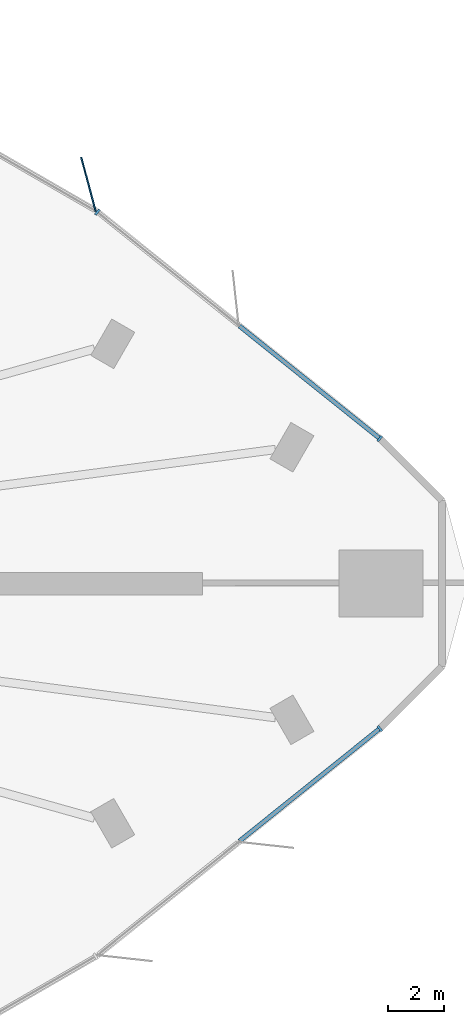
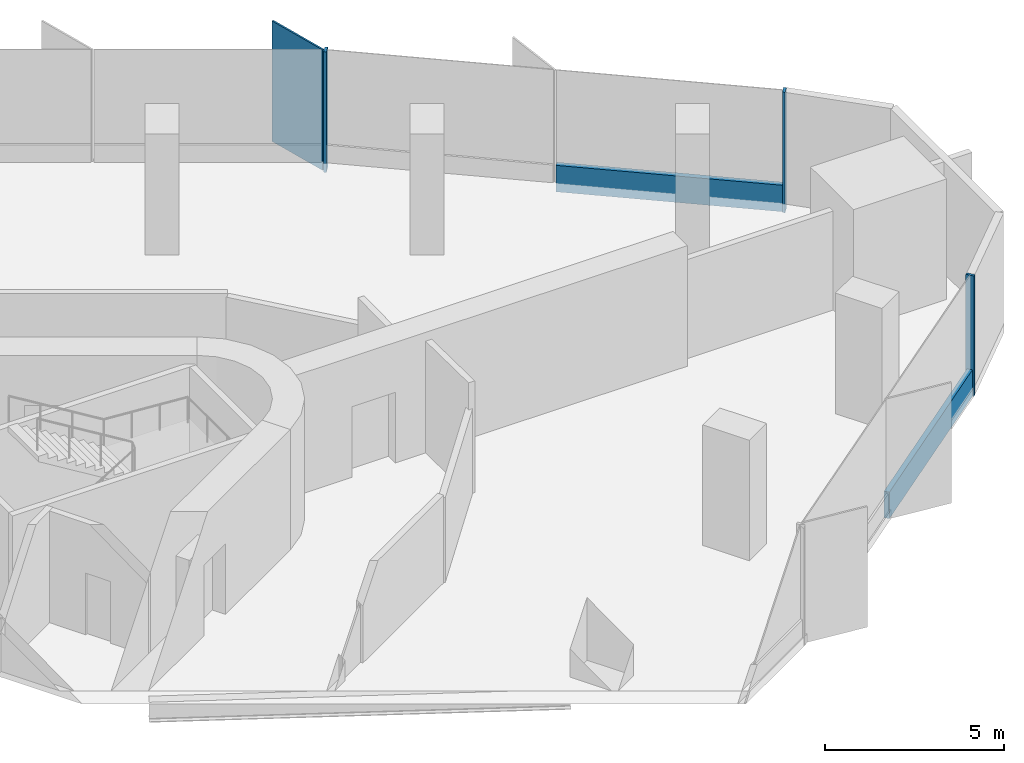
# One storey, part 6 of 15: 6 members, 3 elements without a shape of their own.
"""IFC4 building model written with IfcOpenShell, lengths in metres."""

from ifc_helpers import new_model, si_unit, direction, frame, origin, origin_2d, place, context, subcontext, project, spatial, rectangle, extrude, material, material_profile, profile_set, type_object, element, aggregate, save


model = new_model("IFC4")

# Units and contexts
model_context = context("Model", 3, precision=1e-05, world=origin(), true_north=direction((0.0, 1.0)))
body_context = subcontext(model_context, "Body", "Model", "MODEL_VIEW")
ifc_project = project(units=[si_unit("LENGTHUNIT", "METRE"), si_unit("AREAUNIT", "SQUARE_METRE"), si_unit("VOLUMEUNIT", "CUBIC_METRE"), si_unit("PLANEANGLEUNIT", "RADIAN"), si_unit("MASSUNIT", "GRAM", prefix="KILO")], contexts=[model_context])

# Site, building, storey
site_placement = place(None, origin())
site = spatial("IfcSite", under=ifc_project, at=site_placement, CompositionType="ELEMENT")
building_placement = place(site_placement, origin())
building = spatial("IfcBuilding", under=site, at=building_placement, Name="Tanit Gate Tower", CompositionType="ELEMENT")
storey_placement = place(building_placement, frame((0.0, 0.0, 135.699951171875)))
storey = spatial("IfcBuildingStorey", under=building, at=storey_placement, Name="L29", CompositionType="ELEMENT", Elevation=135.699951171875)

# Curtain wall, member
ifc_material_1 = material(Name="Aluminium bronze anodised and glass", Category="aluminium")
curtain_wall_type = type_object("IfcCurtainWallType", Name="Curtain wall typical low", PredefinedType="NOTDEFINED", material=ifc_material_1)
curtain_wall_1_placement = place(storey_placement, origin())
curtain_wall_1 = element("IfcCurtainWall", 1, at=curtain_wall_1_placement, inside=storey, type_object=curtain_wall_type, Name="Curtain wall L29 NE2", PredefinedType="NOTDEFINED")
ifc_material_2 = material(Name="Aluminium bronze anodised", Category="aluminium")
ifc_material_profile_1 = material_profile(ifc_material_2, rectangle(XDim=2.0, YDim=0.055908203125, at=origin_2d()), Name="56x2000 bronze fin mullion")
ifc_profile_set_1 = profile_set([ifc_material_profile_1], Name="Aluminium bronze anodised")
member_type_1 = type_object("IfcMemberType", Name="FIN MULLION 56x2000 bronze", PredefinedType="MULLION", material=ifc_profile_set_1)
member_1_placement = place(storey_placement, frame((29.681884765625, 14.259765625, -0.300048828125), z_axis=(0.0, 0.0, 1.0), x_axis=(0.25875206837, -0.965943770162, 0.0)))
member_1 = element("IfcMember", 2, at=member_1_placement, type_object=member_type_1, Name="Fin mullion L29 NE2.1", PredefinedType="MULLION", context=body_context, shape_type="SweptSolid", body=[
    extrude(rectangle(XDim=2.0, YDim=0.055908203125, at=origin_2d()), origin(), (0.0, 0.0, 1.0), 4.10009765625),
])
aggregate(curtain_wall_1, [member_1])

# Curtain wall, members
curtain_wall_2_placement = place(storey_placement, origin())
curtain_wall_2 = element("IfcCurtainWall", 3, at=curtain_wall_2_placement, inside=storey, type_object=curtain_wall_type, Name="Curtain wall L29 NE1", PredefinedType="NOTDEFINED")
ifc_material_3 = material(Name="Aluminium bronze anodised", Category="aluminium")
ifc_material_profile_2 = material_profile(ifc_material_3, rectangle(XDim=0.239990234375, YDim=0.080078125, at=origin_2d()), Name="80x240 bronze mullion")
ifc_profile_set_2 = profile_set([ifc_material_profile_2], Name="Aluminium bronze anodised")
member_type_2 = type_object("IfcMemberType", Name="Mullion 80x240 typical low", PredefinedType="MULLION", material=ifc_profile_set_2)
member_2_placement = place(storey_placement, frame((40.0888671875, 5.17919921875, -0.300048828125), z_axis=(0.0, 0.0, 1.0), x_axis=(-0.625673630163, -0.780084936734, 0.0)))
member_2 = element("IfcMember", 4, at=member_2_placement, type_object=member_type_2, Name="Mullion L29 NE1.1", PredefinedType="MULLION", context=body_context, shape_type="SweptSolid", body=[
    extrude(rectangle(XDim=0.239990234375, YDim=0.080078125, at=origin_2d()), origin(), (0.0, 0.0, 1.0), 4.10009765625),
])
member_3_placement = place(storey_placement, frame((30.000732421875, 13.2705078125, -0.300048828125), z_axis=(0.0, 0.0, 1.0), x_axis=(-0.625673630163, -0.780084936734, 0.0)))
member_3 = element("IfcMember", 5, at=member_3_placement, type_object=member_type_2, Name="Mullion L29 NE1.3", PredefinedType="MULLION", context=body_context, shape_type="SweptSolid", body=[
    extrude(rectangle(XDim=0.239990234375, YDim=0.080078125, at=origin_2d()), origin(), (0.0, 0.0, 1.0), 4.10009765625),
])

# Curtain wall, member
curtain_wall_3_placement = place(storey_placement, origin())
curtain_wall_3 = element("IfcCurtainWall", 6, at=curtain_wall_3_placement, inside=storey, type_object=curtain_wall_type, Name="Curtain wall L29 SE3", PredefinedType="NOTDEFINED")
member_4_placement = place(storey_placement, frame((40.0888671875, -5.17919921875, -0.300048828125), z_axis=(0.0, 0.0, 1.0), x_axis=(-0.625832143104, 0.779957773638, 0.0)))
member_4 = element("IfcMember", 7, at=member_4_placement, type_object=member_type_2, Name="Mullion L29 SE3.3", PredefinedType="MULLION", context=body_context, shape_type="SweptSolid", body=[
    extrude(rectangle(XDim=0.239990234375, YDim=0.080078125, at=origin_2d()), origin(), (0.0, 0.0, 1.0), 4.10009765625),
])

# Member
ifc_material_4 = material(Name="Aluminium bronze anodised", Category="aluminium")
ifc_material_profile_3 = material_profile(ifc_material_4, rectangle(XDim=0.159912109375, YDim=0.89990234375, at=origin_2d()), Name="160x900 bronze transom")
ifc_profile_set_3 = profile_set([ifc_material_profile_3], Name="Aluminium bronze anodised")
member_type_3 = type_object("IfcMemberType", Name="Transom 160x900 typical low", PredefinedType="USERDEFINED", material=ifc_profile_set_3)
member_5_placement = place(storey_placement, frame((40.057861328125, 5.2041015625, 0.150146484375), z_axis=(-0.780081251813, 0.625678224465, 0.0), x_axis=(-0.625678224465, -0.780081251813, 0.0)))
member_5 = element("IfcMember", 8, at=member_5_placement, type_object=member_type_3, Name="Transom L29 NE1.1", ObjectType="TRANSOM", PredefinedType="USERDEFINED", context=body_context, shape_type="SweptSolid", body=[
    extrude(rectangle(XDim=0.159912109375, YDim=0.89990234375, at=origin_2d()), origin(), (0.0, 0.0, 1.0), 6.386474609375),
])

aggregate(curtain_wall_2, [member_2, member_3, member_5])

member_6_placement = place(storey_placement, frame((35.07666015625, -9.200927734375, 0.150146484375), z_axis=(0.779961709235, 0.625827238244, 0.0), x_axis=(-0.625827238244, 0.779961709235, 0.0)))
member_6 = element("IfcMember", 9, at=member_6_placement, type_object=member_type_3, Name="Transom L29 SE3.2", ObjectType="TRANSOM", PredefinedType="USERDEFINED", context=body_context, shape_type="SweptSolid", body=[
    extrude(rectangle(XDim=0.159912109375, YDim=0.89990234375, at=origin_2d()), origin(), (0.0, 0.0, 1.0), 6.386474609375),
])

aggregate(curtain_wall_3, [member_4, member_6])

save(model, "model.ifc")
